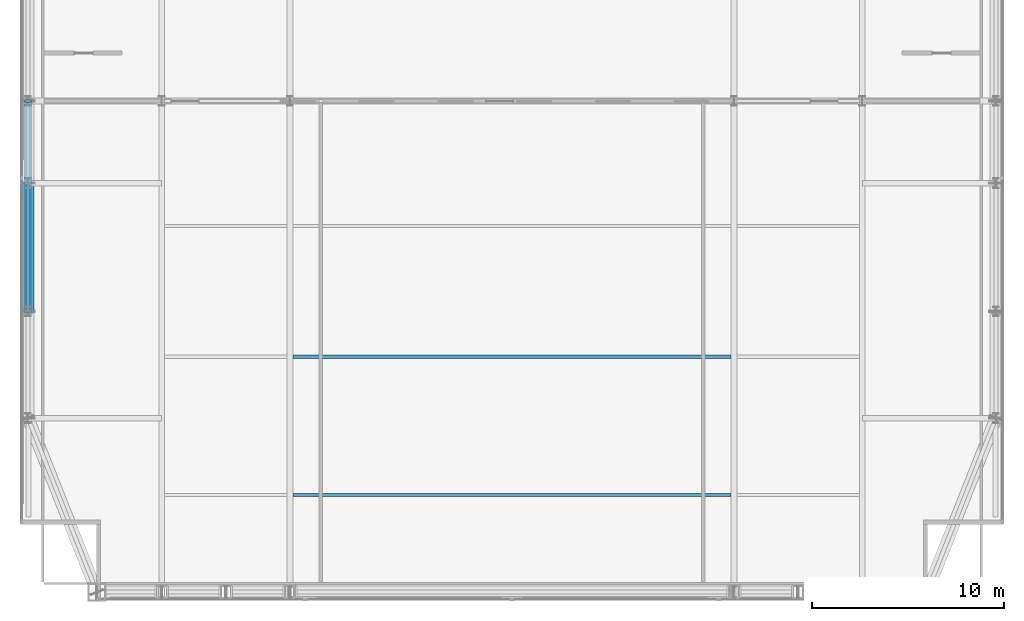
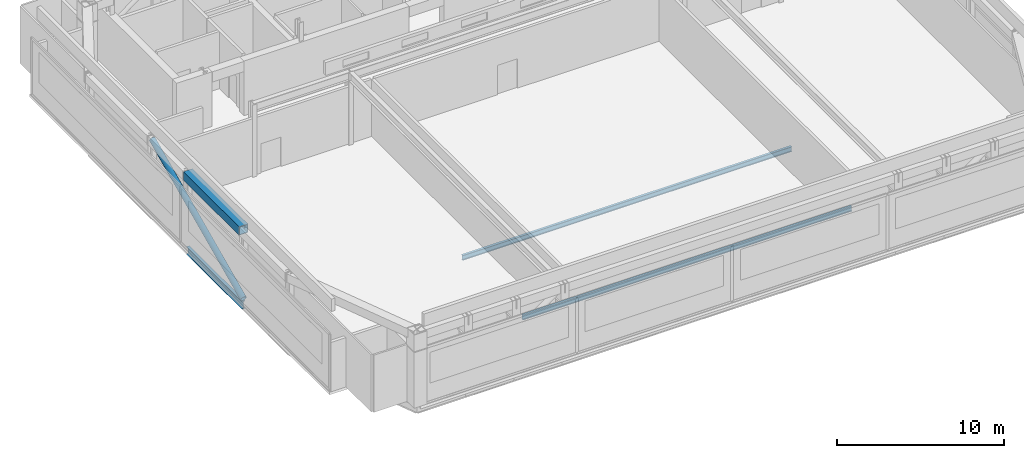
# One storey, part 7 of 24: 4 beams, 1 member.
"""IFC4 building model written with IfcOpenShell, lengths in metres."""

from ifc_helpers import new_model, si_unit, direction, frame, origin, origin_2d, place, context, subcontext, project, spatial, hollow_rectangle, hollow_circle, i_section, extrude, material, material_profile, profile_set, type_object, element, save


model = new_model("IFC4")

# Units and contexts
model_context = context("Model", 3, precision=1e-05, world=origin(), true_north=direction((0.0, 1.0)))
body_context = subcontext(model_context, "Body", "Model", "MODEL_VIEW")
ifc_project = project(units=[si_unit("LENGTHUNIT", "METRE"), si_unit("AREAUNIT", "SQUARE_METRE"), si_unit("VOLUMEUNIT", "CUBIC_METRE"), si_unit("PLANEANGLEUNIT", "RADIAN"), si_unit("MASSUNIT", "GRAM", prefix="KILO")], contexts=[model_context])

# Site, building, storey
site_placement = place(None, origin())
site = spatial("IfcSite", under=ifc_project, at=site_placement, CompositionType="ELEMENT")
building_placement = place(site_placement, origin())
building = spatial("IfcBuilding", under=site, at=building_placement, Name="Khoronbel Lancet Exchange", CompositionType="ELEMENT")
storey_placement = place(building_placement, frame((0.0, 0.0, 378.60009765625)))
storey = spatial("IfcBuildingStorey", under=building, at=storey_placement, Name="L96", CompositionType="ELEMENT", Elevation=378.60009765625)

# Beams
ifc_material = material(Name="Steel S355", Category="steel")
ifc_material_profile_1 = material_profile(ifc_material, i_section(OverallWidth=0.169921875, OverallDepth=0.360107421875, WebThickness=0.008056640625, FlangeThickness=0.0126953125, at=origin_2d()), Name="IPE 360")
ifc_profile_set_1 = profile_set([ifc_material_profile_1], Name="Steel S355")
beam_type_1 = type_object("IfcBeamType", Name="BM-BJ6", PredefinedType="JOIST", material=ifc_profile_set_1)
for number, where, z_axis, x_axis, name in (
    (1, (25.050048828125, 15.199951171875, -0.380126953125), (1.0, 0.0, 0.0), (0.0, 1.0, 0.0), "Level L96 secondary composite joist J02"),
    (2, (25.050048828125, 22.39990234375, -0.380126953125), (1.0, 0.0, 0.0), (0.0, 1.0, 0.0), "Level L96 secondary composite joist J05"),
):
    element("IfcBeam", number, at=place(storey_placement, frame(where, z_axis=z_axis, x_axis=x_axis)), inside=storey, type_object=beam_type_1, Name=name, PredefinedType="JOIST", context=body_context, shape_type="SweptSolid", body=[
        extrude(i_section(OverallWidth=0.169921875, OverallDepth=0.360107421875, WebThickness=0.008056640625, FlangeThickness=0.0126953125, at=origin_2d()), origin(), (0.0, 0.0, 1.0), 22.800048828125),
    ])
ifc_material_profile_2 = material_profile(ifc_material, i_section(OverallWidth=0.2099609375, OverallDepth=0.550048828125, WebThickness=0.010986328125, FlangeThickness=0.01708984375, at=origin_2d()), Name="IPE 550")
ifc_profile_set_2 = profile_set([ifc_material_profile_2], Name="Steel S355")
beam_type_2 = type_object("IfcBeamType", Name="BM-BSP3", PredefinedType="SPANDREL", material=ifc_profile_set_2)
beam_1_placement = place(storey_placement, frame((11.27001953125, 31.425048828125, -0.47509765625), z_axis=(0.0, -1.0, 0.0), x_axis=(1.0, 0.0, 0.0)))
element("IfcBeam", 3, at=beam_1_placement, inside=storey, type_object=beam_type_2, Name="Level L96 perimeter spandrel beam SP17", PredefinedType="SPANDREL", context=body_context, shape_type="SweptSolid", body=[
    extrude(i_section(OverallWidth=0.2099609375, OverallDepth=0.550048828125, WebThickness=0.010986328125, FlangeThickness=0.01708984375, at=origin_2d()), origin(), (0.0, 0.0, 1.0), 6.675048828125),
])
ifc_material_profile_3 = material_profile(ifc_material, hollow_rectangle(XDim=0.6201171875, YDim=0.6201171875, WallThickness=0.0400390625, at=origin_2d()), Name="BOX 620x620x40")
ifc_profile_set_3 = profile_set([ifc_material_profile_3], Name="Steel S355")
beam_type_3 = type_object("IfcBeamType", Name="BM-RB1", PredefinedType="USERDEFINED", material=ifc_profile_set_3)
beam_2_placement = place(storey_placement, frame((11.27001953125, 31.425048828125, 5.0498046875), z_axis=(0.0, -1.0, 0.0), x_axis=(1.0, 0.0, 0.0)))
element("IfcBeam", 4, at=beam_2_placement, inside=storey, type_object=beam_type_3, Name="CROWN FRAME top ring cap beam RB19", ObjectType="RING BEAM", PredefinedType="USERDEFINED", context=body_context, shape_type="SweptSolid", body=[
    extrude(hollow_rectangle(XDim=0.6201171875, YDim=0.6201171875, WallThickness=0.0400390625, at=origin_2d()), origin(), (0.0, 0.0, 1.0), 6.675048828125),
])

# Member
ifc_material_profile_4 = material_profile(ifc_material, hollow_circle(Radius=0.203125, WallThickness=0.02001953125, at=origin_2d()), Name="CHS 406.4x20")
ifc_profile_set_4 = profile_set([ifc_material_profile_4], Name="Steel S355")
member_type = type_object("IfcMemberType", Name="MEM-STR2", PredefinedType="STRUT", material=ifc_profile_set_4)
member_placement = place(storey_placement, frame((11.27001953125, 24.75, 0.0), z_axis=(0.0, 0.908086156601, 0.418783395312), x_axis=(-1.0, 0.0, 0.0)))
element("IfcMember", 5, at=member_placement, inside=storey, type_object=member_type, Name="CROWN FRAME diagonal ring brace L96-W1", PredefinedType="STRUT", context=body_context, shape_type="SweptSolid", body=[
    extrude(hollow_circle(Radius=0.203125, WallThickness=0.02001953125, at=origin_2d()), origin(), (0.0, 0.0, 1.0), 12.058349609375),
])

save(model, "model.ifc")
